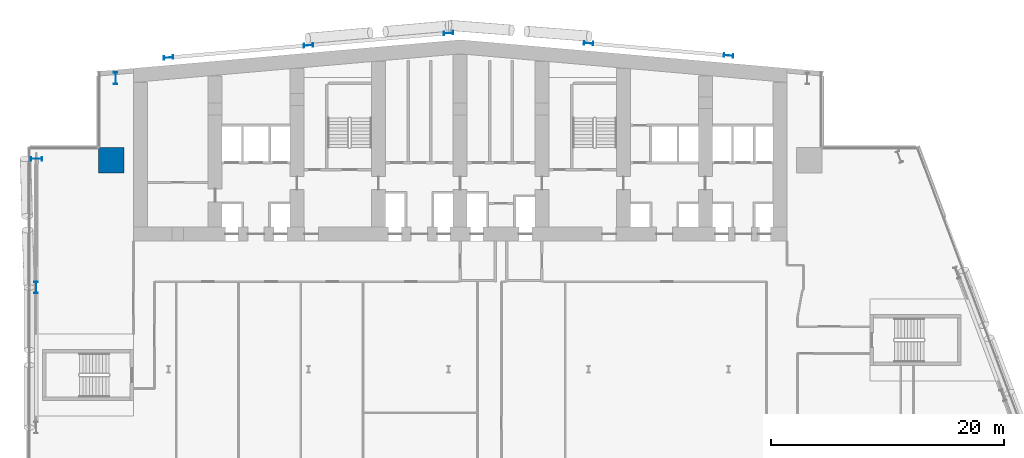
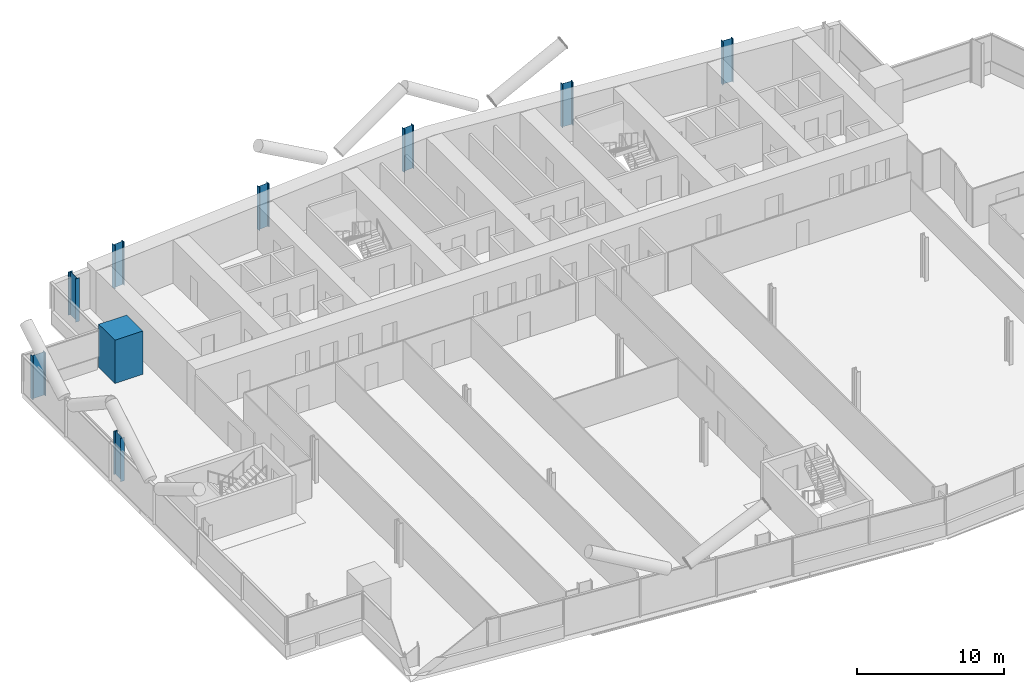
# One storey, part 2 of 25: 9 columns.
"""IFC4 building model written with IfcOpenShell, lengths in metres."""

from ifc_helpers import new_model, si_unit, direction, frame, origin, origin_2d, place, context, subcontext, project, spatial, rectangle, i_section, extrude, material, material_profile, profile_set, type_object, element, save


model = new_model("IFC4")

# Units and contexts
model_context = context("Model", 3, precision=1e-05, world=origin(), true_north=direction((0.0, 1.0)))
body_context = subcontext(model_context, "Body", "Model", "MODEL_VIEW")
ifc_project = project(units=[si_unit("LENGTHUNIT", "METRE"), si_unit("AREAUNIT", "SQUARE_METRE"), si_unit("VOLUMEUNIT", "CUBIC_METRE"), si_unit("PLANEANGLEUNIT", "RADIAN"), si_unit("MASSUNIT", "GRAM", prefix="KILO")], contexts=[model_context])

# Site, building, storey
site_placement = place(None, origin())
site = spatial("IfcSite", under=ifc_project, at=site_placement, CompositionType="ELEMENT")
building_placement = place(site_placement, origin())
building = spatial("IfcBuilding", under=site, at=building_placement, Name="Wharfspan Tower", CompositionType="ELEMENT")
storey_placement = place(building_placement, frame((0.0, 0.0, 63.100098)))
storey = spatial("IfcBuildingStorey", under=building, at=storey_placement, Name="L12", CompositionType="ELEMENT", Elevation=63.100098)

# Columns
ifc_material_1 = material(Name="Steel S355J2", Category="steel")
ifc_material_profile_1 = material_profile(ifc_material_1, i_section(OverallWidth=0.302002, OverallDepth=1.008057, WebThickness=0.020996, FlangeThickness=0.040039, FilletRadius=0.030029, at=origin_2d()))
ifc_profile_set_1 = profile_set([ifc_material_profile_1], Name="Steel S355J2")
column_type_1 = type_object("IfcColumnType", Name="Column HEM 1000", PredefinedType="COLUMN", material=ifc_profile_set_1)
for number, where, z_axis, x_axis, name in (
    (1, (7.466553, 47.933594, 0.0), (0.0, 0.0, 1.0), (-1.0, 0.0, 0.0), "Perimeter column PNRW-V.1 L12"),
    (2, (0.684814, 41.03418, 0.0), (0.0, 0.0, 1.0), (0.0, 1.0, 0.0), "Perimeter column PNRW-H.1 L12"),
    (3, (0.659912, 30.0, 0.0), (0.0, 0.0, 1.0), (-1.0, 0.0, 0.0), "Perimeter column PW.1 L12"),
):
    element("IfcColumn", number, at=place(storey_placement, frame(where, z_axis=z_axis, x_axis=x_axis)), inside=storey, type_object=column_type_1, Name=name, PredefinedType="COLUMN", context=body_context, shape_type="SweptSolid", body=[
        extrude(i_section(OverallWidth=0.302002, OverallDepth=1.008057, WebThickness=0.020996, FlangeThickness=0.040039, FilletRadius=0.030029, at=origin_2d()), origin(), (0.0, 0.0, 1.0), 3.599854),
    ])
ifc_material_profile_2 = material_profile(ifc_material_1, i_section(OverallWidth=0.302979, OverallDepth=0.813965, WebThickness=0.020996, FlangeThickness=0.040039, FilletRadius=0.030029, at=origin_2d()))
ifc_profile_set_2 = profile_set([ifc_material_profile_2], Name="Steel S355J2")
column_type_2 = type_object("IfcColumnType", Name="Column HEM 800", PredefinedType="COLUMN", material=ifc_profile_set_2)
for number, where, z_axis, x_axis, name in (
    (4, (12.0, 49.709961, 0.0), (0.0, 0.0, 1.0), (-0.087156, 0.996197, 0.0), "Rear column R.1 L12"),
    (5, (24.0, 50.759766, 0.0), (0.0, 0.0, 1.0), (-0.087156, 0.996197, 0.0), "Rear column R.2 L12"),
    (6, (36.0, 51.80957, 0.0), (0.0, 0.0, 1.0), (-0.087156, 0.996197, 0.0), "Rear column R.3 L12"),
    (7, (48.0, 50.934814, 0.0), (0.0, 0.0, 1.0), (0.087156, 0.996197, 0.0), "Rear column R.4 L12"),
    (8, (60.0, 49.884766, 0.0), (0.0, 0.0, 1.0), (0.087156, 0.996197, 0.0), "Rear column R.5 L12"),
):
    element("IfcColumn", number, at=place(storey_placement, frame(where, z_axis=z_axis, x_axis=x_axis)), inside=storey, type_object=column_type_2, Name=name, PredefinedType="COLUMN", context=body_context, shape_type="SweptSolid", body=[
        extrude(i_section(OverallWidth=0.302979, OverallDepth=0.813965, WebThickness=0.020996, FlangeThickness=0.040039, FilletRadius=0.030029, at=origin_2d()), origin(), (0.0, 0.0, 1.0), 3.599854),
    ])
ifc_material_2 = material(Name="Concrete C70/85", Category="concrete")
ifc_material_profile_3 = material_profile(ifc_material_2, rectangle(XDim=2.199951, YDim=2.199951, at=origin_2d()))
ifc_profile_set_3 = profile_set([ifc_material_profile_3], Name="Concrete C70/85")
column_type_3 = type_object("IfcColumnType", Name="Mega column 2200 C70/85", PredefinedType="COLUMN", material=ifc_profile_set_3)
column_placement = place(storey_placement, frame((7.100098, 40.899902, 0.0), z_axis=(0.0, 0.0, 1.0), x_axis=(1.0, 0.0, 0.0)))
element("IfcColumn", 9, at=column_placement, inside=storey, type_object=column_type_3, Name="Mega column MC2 L12", PredefinedType="COLUMN", context=body_context, shape_type="SweptSolid", body=[
    extrude(rectangle(XDim=2.199951, YDim=2.199951, at=origin_2d()), origin(), (0.0, 0.0, 1.0), 3.599854),
])

save(model, "model.ifc")
